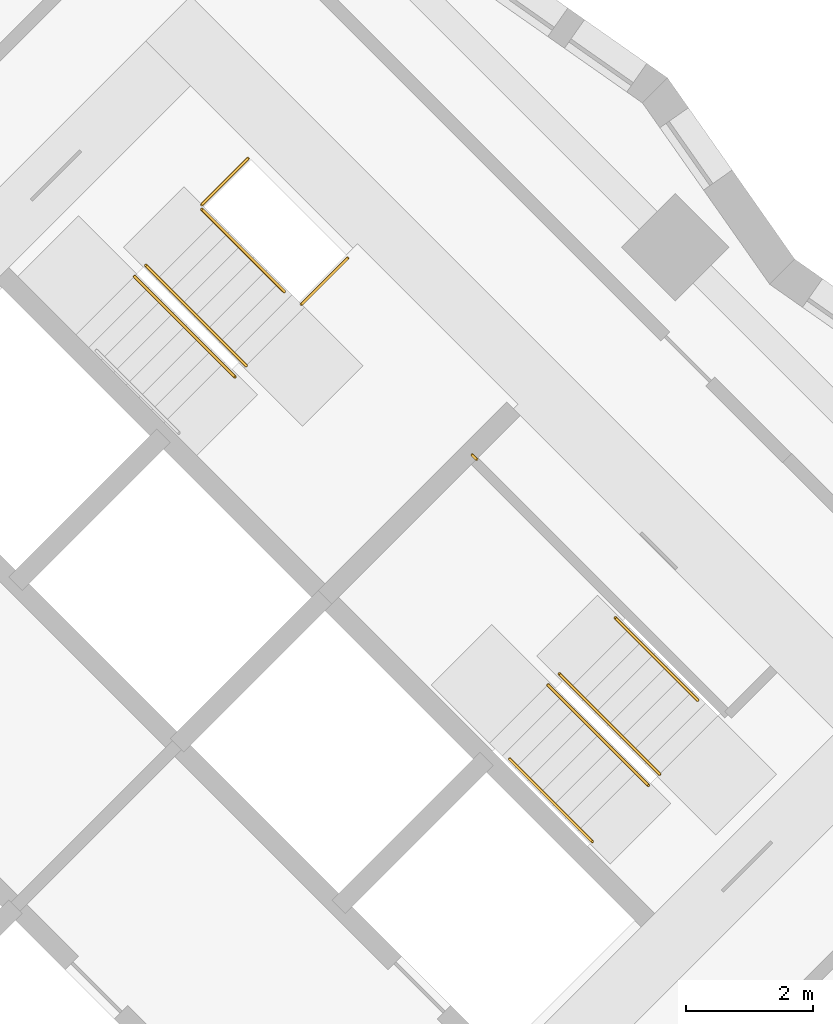
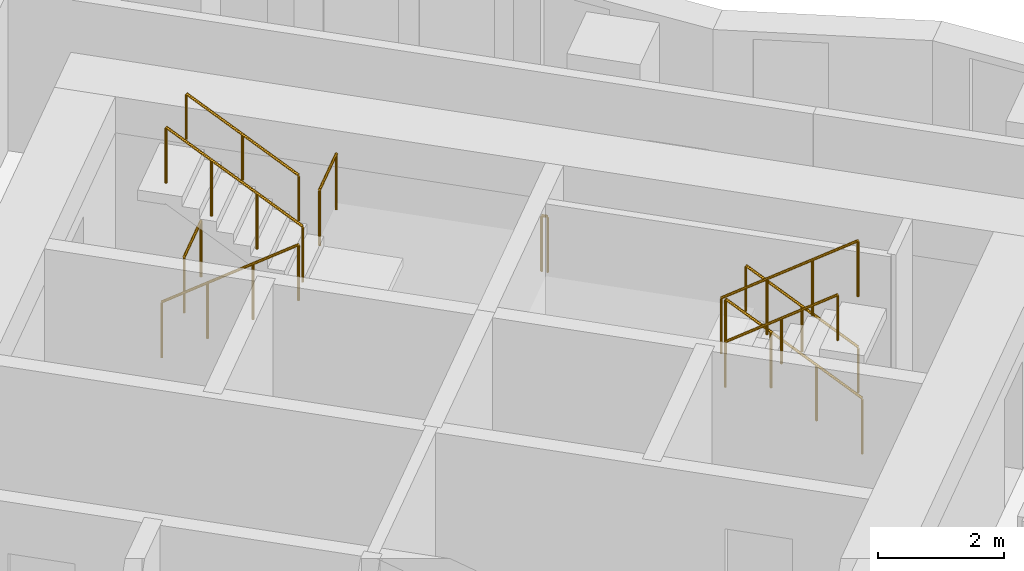
# One storey, part 12 of 12: 10 railings.
"""IFC4 building model written with IfcOpenShell, lengths in metres."""

from ifc_helpers import new_model, si_unit, direction, frame, origin, origin_2d, place, context, subcontext, project, spatial, circle, extrude, material, type_object, element, save


model = new_model("IFC4")

# Units and contexts
model_context = context("Model", 3, precision=1e-05, world=origin(), true_north=direction((0.0, 1.0)))
body_context = subcontext(model_context, "Body", "Model", "MODEL_VIEW")
ifc_project = project(units=[si_unit("LENGTHUNIT", "METRE"), si_unit("AREAUNIT", "SQUARE_METRE"), si_unit("VOLUMEUNIT", "CUBIC_METRE"), si_unit("PLANEANGLEUNIT", "RADIAN"), si_unit("MASSUNIT", "GRAM", prefix="KILO")], contexts=[model_context])

# Site, building, storey
site_placement = place(None, origin())
site = spatial("IfcSite", under=ifc_project, at=site_placement, CompositionType="ELEMENT")
building_placement = place(site_placement, origin())
building = spatial("IfcBuilding", under=site, at=building_placement, Name="Windrow Commons", CompositionType="ELEMENT")
storey_placement = place(building_placement, frame((0.0, 0.0, 61.0)))
storey = spatial("IfcBuildingStorey", under=building, at=storey_placement, Name="L16", CompositionType="ELEMENT", Elevation=61.0)

# Railings
ifc_material_1 = material(Name="Steel S355", Category="steel")
railing_type_1 = type_object("IfcRailingType", Name="Core stair guard 1100", PredefinedType="GUARDRAIL", material=ifc_material_1)
railing_1_placement = place(storey_placement, frame((85.9529, 56.2669, 0.1889)))
element("IfcRailing", 1, at=railing_1_placement, inside=storey, type_object=railing_type_1, Name="L16 ST-B1 stair guard 1", PredefinedType="GUARDRAIL", context=body_context, shape_type="SweptSolid", body=[
    extrude(circle(Radius=0.024, at=origin_2d()), frame((0.0, 0.0, 1.076), z_axis=(0.5861914914, -0.5861914914, 0.5592486664), x_axis=(0.7071067812, 0.7071067812, 0.0)), (0.0, 0.0, 1.0), 2.702),
    extrude(circle(Radius=0.021, at=origin_2d()), origin(), (0.0, 0.0, 1.0), 1.052),
    extrude(circle(Radius=0.021, at=origin_2d()), frame((0.528, -0.528, 0.5037)), (0.0, 0.0, 1.0), 1.052),
    extrude(circle(Radius=0.021, at=origin_2d()), frame((1.0559, -1.0559, 1.0074)), (0.0, 0.0, 1.0), 1.052),
    extrude(circle(Radius=0.021, at=origin_2d()), frame((1.5839, -1.5839, 1.5111)), (0.0, 0.0, 1.0), 1.052),
])
railing_2_placement = place(storey_placement, frame((87.7136, 54.8597, 1.8889)))
element("IfcRailing", 2, at=railing_2_placement, inside=storey, type_object=railing_type_1, Name="L16 ST-B1 stair guard 2", PredefinedType="GUARDRAIL", context=body_context, shape_type="SweptSolid", body=[
    extrude(circle(Radius=0.024, at=origin_2d()), frame((0.0, 0.0, 1.076), z_axis=(-0.5862030657, 0.5862030657, 0.5592244018), x_axis=(-0.7071067812, -0.7071067812, 0.0)), (0.0, 0.0, 1.0), 2.7021),
    extrude(circle(Radius=0.021, at=origin_2d()), origin(), (0.0, 0.0, 1.0), 1.052),
    extrude(circle(Radius=0.021, at=origin_2d()), frame((-0.528, 0.528, 0.5037)), (0.0, 0.0, 1.0), 1.052),
    extrude(circle(Radius=0.021, at=origin_2d()), frame((-1.056, 1.056, 1.0074)), (0.0, 0.0, 1.0), 1.052),
    extrude(circle(Radius=0.021, at=origin_2d()), frame((-1.584, 1.584, 1.5111)), (0.0, 0.0, 1.0), 1.052),
])
railing_3_placement = place(storey_placement, frame((87.0135, 57.3982, 0.0)))
element("IfcRailing", 3, at=railing_3_placement, inside=storey, type_object=railing_type_1, Name="L16 ST-B1 stair guard 3", PredefinedType="GUARDRAIL", context=body_context, shape_type="SweptSolid", body=[
    extrude(circle(Radius=0.024, at=origin_2d()), frame((0.0, 0.0, 1.076), z_axis=(0.7070582378, 0.7071553212, 0.0), x_axis=(-0.7071553212, 0.7070582378, 0.0)), (0.0, 0.0, 1.0), 1.03),
    extrude(circle(Radius=0.021, at=origin_2d()), origin(), (0.0, 0.0, 1.0), 1.052),
    extrude(circle(Radius=0.021, at=origin_2d()), frame((0.7283, 0.7284, 0.0)), (0.0, 0.0, 1.0), 1.052),
])
railing_4_placement = place(storey_placement, frame((88.5833, 55.8285, 1.7)))
element("IfcRailing", 4, at=railing_4_placement, inside=storey, type_object=railing_type_1, Name="L16 ST-B1 stair guard 4", PredefinedType="GUARDRAIL", context=body_context, shape_type="SweptSolid", body=[
    extrude(circle(Radius=0.024, at=origin_2d()), frame((0.0, 0.0, 1.076), z_axis=(0.7071067812, 0.7071067812, 0.0), x_axis=(-0.7071067812, 0.7071067812, 0.0)), (0.0, 0.0, 1.0), 1.03),
    extrude(circle(Radius=0.021, at=origin_2d()), origin(), (0.0, 0.0, 1.0), 1.052),
    extrude(circle(Radius=0.021, at=origin_2d()), frame((0.7283, 0.7283, 0.0)), (0.0, 0.0, 1.0), 1.052),
])
railing_5_placement = place(storey_placement, frame((94.2296, 48.4215, 0.1889)))
element("IfcRailing", 5, at=railing_5_placement, inside=storey, type_object=railing_type_1, Name="L16 ST-B2 stair guard 1", PredefinedType="GUARDRAIL", context=body_context, shape_type="SweptSolid", body=[
    extrude(circle(Radius=0.024, at=origin_2d()), frame((0.0, 0.0, 1.076), z_axis=(-0.5862157828, 0.5861787742, 0.5592365337), x_axis=(-0.7070844598, -0.7071291018, 0.0)), (0.0, 0.0, 1.0), 2.7021),
    extrude(circle(Radius=0.021, at=origin_2d()), origin(), (0.0, 0.0, 1.0), 1.052),
    extrude(circle(Radius=0.021, at=origin_2d()), frame((-0.528, 0.528, 0.5037)), (0.0, 0.0, 1.0), 1.052),
    extrude(circle(Radius=0.021, at=origin_2d()), frame((-1.056, 1.0559, 1.0074)), (0.0, 0.0, 1.0), 1.052),
    extrude(circle(Radius=0.021, at=origin_2d()), frame((-1.584, 1.5839, 1.5111)), (0.0, 0.0, 1.0), 1.052),
])
railing_6_placement = place(storey_placement, frame((92.4689, 49.8287, 1.8889)))
element("IfcRailing", 6, at=railing_6_placement, inside=storey, type_object=railing_type_1, Name="L16 ST-B2 stair guard 2", PredefinedType="GUARDRAIL", context=body_context, shape_type="SweptSolid", body=[
    extrude(circle(Radius=0.024, at=origin_2d()), frame((0.0, 0.0, 1.076), z_axis=(0.5861787742, -0.5862157828, 0.5592365337), x_axis=(0.7071291018, 0.7070844598, 0.0)), (0.0, 0.0, 1.0), 2.7021),
    extrude(circle(Radius=0.021, at=origin_2d()), origin(), (0.0, 0.0, 1.0), 1.052),
    extrude(circle(Radius=0.021, at=origin_2d()), frame((0.528, -0.528, 0.5037)), (0.0, 0.0, 1.0), 1.052),
    extrude(circle(Radius=0.021, at=origin_2d()), frame((1.0559, -1.056, 1.0074)), (0.0, 0.0, 1.0), 1.052),
    extrude(circle(Radius=0.021, at=origin_2d()), frame((1.5839, -1.584, 1.5111)), (0.0, 0.0, 1.0), 1.052),
])
railing_7_placement = place(storey_placement, frame((91.3446, 53.3854, 1.7)))
element("IfcRailing", 7, at=railing_7_placement, inside=storey, type_object=railing_type_1, Name="L16 ST-B2 stair guard 3", PredefinedType="GUARDRAIL", context=body_context, shape_type="SweptSolid", body=[
    extrude(circle(Radius=0.024, at=origin_2d()), frame((0.0, 0.0, 1.076), z_axis=(-0.7076063266, 0.7066068826, 0.0), x_axis=(-0.7066068826, -0.7076063266, 0.0)), (0.0, 0.0, 1.0), 0.1001),
    extrude(circle(Radius=0.021, at=origin_2d()), origin(), (0.0, 0.0, 1.0), 1.052),
    extrude(circle(Radius=0.021, at=origin_2d()), frame((-0.0708, 0.0707, 0.0)), (0.0, 0.0, 1.0), 1.052),
])
ifc_material_2 = material(Name="Steel S355", Category="steel")
railing_type_2 = type_object("IfcRailingType", Name="Core stair handrail 900", PredefinedType="HANDRAIL", material=ifc_material_2)
for number, where, name in (
    (8, (88.3146, 56.0265, 2.1587), "L16 ST-B1 stair handrail 2"),
    (9, (94.8306, 49.5883, 0.4587), "L16 ST-B2 stair handrail 1"),
):
    element("IfcRailing", number, at=place(storey_placement, frame(where)), inside=storey, type_object=railing_type_2, Name=name, PredefinedType="HANDRAIL", context=body_context, shape_type="SweptSolid", body=[
        extrude(circle(Radius=0.024, at=origin_2d()), frame((0.0, 0.0, 0.876), z_axis=(-0.586206706, 0.5861616513, 0.5592639952), x_axis=(-0.7070796062, -0.7071339551, 0.0)), (0.0, 0.0, 1.0), 2.2195),
        extrude(circle(Radius=0.021, at=origin_2d()), origin(), (0.0, 0.0, 1.0), 0.852),
        extrude(circle(Radius=0.021, at=origin_2d()), frame((-0.6506, 0.6505, 0.6207)), (0.0, 0.0, 1.0), 0.852),
        extrude(circle(Radius=0.021, at=origin_2d()), frame((-1.3011, 1.301, 1.2413)), (0.0, 0.0, 1.0), 0.852),
    ])
railing_8_placement = place(storey_placement, frame((91.8678, 48.6619, 2.1587)))
element("IfcRailing", 10, at=railing_8_placement, inside=storey, type_object=railing_type_2, Name="L16 ST-B2 stair handrail 2", PredefinedType="HANDRAIL", context=body_context, shape_type="SweptSolid", body=[
    extrude(circle(Radius=0.024, at=origin_2d()), frame((0.0, 0.0, 0.876), z_axis=(0.586206706, -0.5861616513, 0.5592639952), x_axis=(0.7070796062, 0.7071339551, 0.0)), (0.0, 0.0, 1.0), 2.2195),
    extrude(circle(Radius=0.021, at=origin_2d()), origin(), (0.0, 0.0, 1.0), 0.852),
    extrude(circle(Radius=0.021, at=origin_2d()), frame((0.6505, -0.6505, 0.6207)), (0.0, 0.0, 1.0), 0.852),
    extrude(circle(Radius=0.021, at=origin_2d()), frame((1.3011, -1.301, 1.2413)), (0.0, 0.0, 1.0), 0.852),
])

save(model, "model.ifc")
